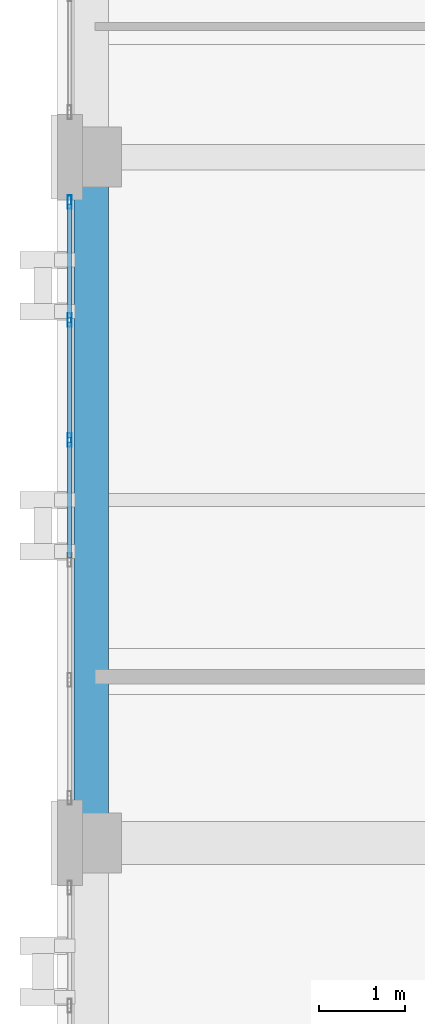
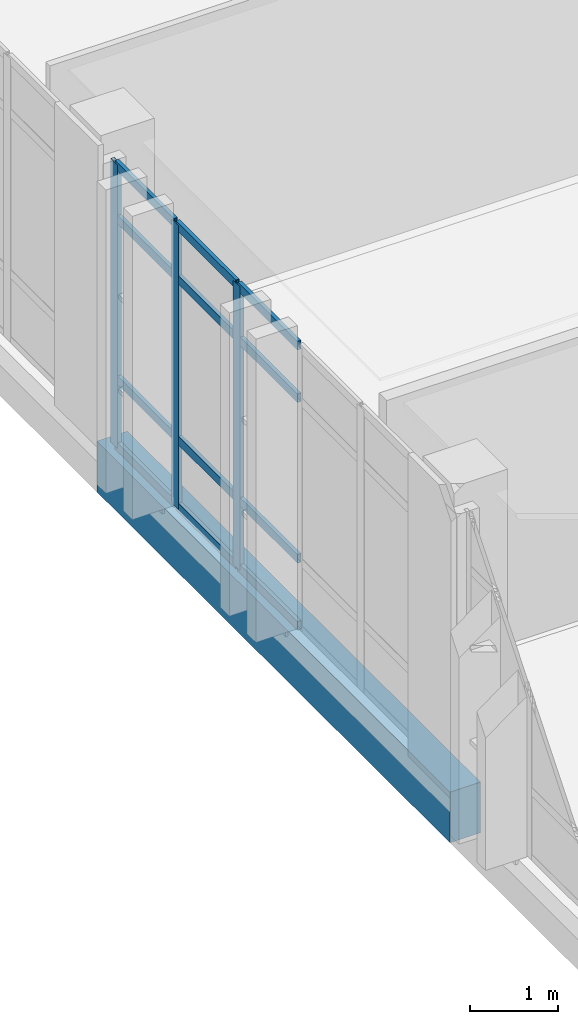
# One storey, part 31 of 165: 15 members, 1 beam, 1 element without a shape of its own.
"""IFC4 building model written with IfcOpenShell, lengths in metres."""

import ifcopenshell
import ifcopenshell.guid

model = None  # the IFC model being written
_history = None  # IfcOwnerHistory: only IFC2X3 demands one
_inside = {}  # id of a spatial element -> (the spatial element, [elements in it])
_under = {}  # id of a project, library or spatial element -> (it, [spatial elements below it])
_declared = {}  # id of a project -> (the project, [libraries it declares])
_typed = {}  # id of a type object -> (the type object, [elements of that type])
_made_of = {}  # id of a material, layer set ... -> (it, [elements and type objects made of it])


def new_model(schema):
    """Start an empty IFC model of exactly this schema.

    Asked for "IFC4X3", IfcOpenShell would pick the latest addendum, in which some entities
    have other attributes; the version numbers below select the first issue.
    IFC2X3 requires an IfcOwnerHistory on every rooted entity: one is made here for all.
    """
    global model, _history
    if schema == "IFC4X3":
        model = ifcopenshell.file(schema_version=(4, 3, 0, 0))
    else:
        model = ifcopenshell.file(schema=schema)
    _inside.clear()
    _under.clear()
    _declared.clear()
    _typed.clear()
    _made_of.clear()
    _history = None
    if model.schema == "IFC2X3":
        org = make("IfcOrganization", Name="unknown")
        user = make(
            "IfcPersonAndOrganization",
            ThePerson=make("IfcPerson", FamilyName="unknown"),
            TheOrganization=org,
        )
        app = make(
            "IfcApplication",
            ApplicationDeveloper=org,
            Version="unknown",
            ApplicationFullName="unknown",
            ApplicationIdentifier="unknown",
        )
        _history = make(
            "IfcOwnerHistory",
            OwningUser=user,
            OwningApplication=app,
            ChangeAction="ADDED",
            CreationDate=0,
        )
    return model


def make(cls, **values):
    """One entity of the class cls with the attributes given. An attribute that is None is left unset."""
    return model.create_entity(
        cls, **{name: value for name, value in values.items() if value is not None}
    )


def rooted(cls, **values):
    """An entity with a GlobalId (a new one), such as an element, a storey or a relation."""
    return make(cls, GlobalId=ifcopenshell.guid.new(), OwnerHistory=_history, **values)


def si_unit(unit_type, name, prefix=None):
    """IfcSIUnit, for example si_unit("LENGTHUNIT", "METRE", prefix="MILLI")."""
    return make("IfcSIUnit", UnitType=unit_type, Prefix=prefix, Name=name)


def assignment(units):
    """IfcUnitAssignment: the units of a project."""
    return None if units is None else make("IfcUnitAssignment", Units=units)


def point(xyz):
    """IfcCartesianPoint."""
    return None if xyz is None else make("IfcCartesianPoint", Coordinates=xyz)


def direction(xyz):
    """IfcDirection."""
    return None if xyz is None else make("IfcDirection", DirectionRatios=xyz)


def frame(location, z_axis=None, x_axis=None):
    """IfcAxis2Placement3D, a coordinate frame: its origin and axes. An axis left out is left unset."""
    return make(
        "IfcAxis2Placement3D",
        Location=point(location),
        Axis=direction(z_axis),
        RefDirection=direction(x_axis),
    )


def frame_2d(location, x_axis=None):
    """IfcAxis2Placement2D, a coordinate frame in the plane: its origin and x axis."""
    return make(
        "IfcAxis2Placement2D", Location=point(location), RefDirection=direction(x_axis)
    )


def origin():
    """The frame at (0, 0, 0) with its axes left unset."""
    return frame((0.0, 0.0, 0.0))


def origin_2d():
    """The frame at (0, 0) in the plane with its x axis left unset."""
    return frame_2d((0.0, 0.0))


def place(relative_to, where):
    """IfcLocalPlacement: puts the frame where relative to a parent placement (None: the world)."""
    return make(
        "IfcLocalPlacement", PlacementRelTo=relative_to, RelativePlacement=where
    )


def context(
    kind, dimensions, precision=None, world=None, true_north=None, identifier=None
):
    """IfcGeometricRepresentationContext, for example the 3D "Model" context."""
    return make(
        "IfcGeometricRepresentationContext",
        ContextIdentifier=identifier,
        ContextType=kind,
        CoordinateSpaceDimension=dimensions,
        Precision=precision,
        WorldCoordinateSystem=world,
        TrueNorth=true_north,
    )


def subcontext(parent, identifier, kind, view, scale=None):
    """IfcGeometricRepresentationSubContext, for example "Body" below "Model"."""
    return make(
        "IfcGeometricRepresentationSubContext",
        ContextIdentifier=identifier,
        ContextType=kind,
        ParentContext=parent,
        TargetScale=scale,
        TargetView=view,
    )


def project(units=None, contexts=None):
    """IfcProject with its units and contexts."""
    return rooted(
        "IfcProject",
        Name="project",
        RepresentationContexts=contexts,
        UnitsInContext=assignment(units),
    )


def spatial(cls, under=None, at=None, **own):
    """A site, building, storey or space (cls), placed at a placement, below another one or the project."""
    s = rooted(cls, ObjectPlacement=at, **own)
    if under is not None:
        _under.setdefault(under.id(), (under, []))[1].append(s)
    return s


def profile(cls, at=None, kind="AREA", **sizes):
    """A parametric profile (cls). Its sizes go by their IFC names, for example OverallWidth=200.0."""
    return make(cls, ProfileType=kind, Position=at, **sizes)


def rectangle(**sizes):
    """IfcRectangleProfileDef."""
    return profile("IfcRectangleProfileDef", **sizes)


def hollow_rectangle(**sizes):
    """IfcRectangleHollowProfileDef."""
    return profile("IfcRectangleHollowProfileDef", **sizes)


def extrude(swept, where, along, depth):
    """IfcExtrudedAreaSolid: the profile swept, set in the frame where, extruded along a direction by depth."""
    return make(
        "IfcExtrudedAreaSolid",
        SweptArea=swept,
        Position=where,
        ExtrudedDirection=direction(along),
        Depth=depth,
    )


def shape(context_of_items, identifier, shape_type, items):
    """IfcShapeRepresentation: the items that make up one representation, for example the "Body"."""
    return make(
        "IfcShapeRepresentation",
        ContextOfItems=context_of_items,
        RepresentationIdentifier=identifier,
        RepresentationType=shape_type,
        Items=items,
    )


def material(Name=None, Category=None):
    """IfcMaterial."""
    return make("IfcMaterial", Name=Name, Category=Category)


def layer(
    of_material, thickness, ventilated=None, Name=None, Category=None, Priority=None
):
    """IfcMaterialLayer: one layer of a wall or slab, of a material (None: an air gap)."""
    return make(
        "IfcMaterialLayer",
        Material=of_material,
        LayerThickness=thickness,
        IsVentilated=ventilated,
        Name=Name,
        Category=Category,
        Priority=Priority,
    )


def layer_set(layers, Name=None):
    """IfcMaterialLayerSet."""
    return make("IfcMaterialLayerSet", MaterialLayers=layers, LayerSetName=Name)


def material_profile(
    of_material, cross_section, Name=None, Category=None, Priority=None
):
    """IfcMaterialProfile: a cross section and its material."""
    return make(
        "IfcMaterialProfile",
        Name=Name,
        Material=of_material,
        Profile=cross_section,
        Priority=Priority,
        Category=Category,
    )


def profile_set(profiles, Name=None, composite=None):
    """IfcMaterialProfileSet."""
    return make(
        "IfcMaterialProfileSet",
        Name=Name,
        MaterialProfiles=profiles,
        CompositeProfile=composite,
    )


def made_of(thing, what):
    """Note that an element or type object is made of a material, layer set ...; save() writes the relation."""
    if what is not None:
        _made_of.setdefault(what.id(), (what, []))[1].append(thing)
    return thing


def type_object(cls, material=None, **own):
    """A type object (cls), such as IfcWallType, which elements share."""
    return made_of(rooted(cls, **own), material)


def element(
    cls,
    number,
    at=None,
    inside=None,
    cuts=None,
    type_object=None,
    material=None,
    context=None,
    identifier="Body",
    shape_type=None,
    held_by="IfcProductDefinitionShape",
    body=None,
    shapes=None,
    **own,
):
    """One element of the class cls, such as IfcWall. Its Tag is "e" and its number.

    at: its placement. inside: the storey or other place that contains it. cuts: it is an
    opening in that element (IfcRelVoidsElement). A single representation is given by context,
    identifier, shape_type and body (its items); several are given by shapes. held_by: the class
    of the entity that holds the representations. save() writes the other relations.
    """
    e = rooted(cls, Tag="e%d" % number, ObjectPlacement=at, **own)
    if body is not None:
        shapes = [shape(context, identifier, shape_type, body)]
    if shapes is not None:
        e.Representation = make(held_by, Representations=shapes)
    if inside is not None:
        _inside.setdefault(inside.id(), (inside, []))[1].append(e)
    if cuts is not None:
        rooted(
            "IfcRelVoidsElement", RelatingBuildingElement=cuts, RelatedOpeningElement=e
        )
    if type_object is not None:
        _typed.setdefault(type_object.id(), (type_object, []))[1].append(e)
    return made_of(e, material)


def aggregate(whole, parts):
    """IfcRelAggregates: a whole, such as a stair, and the parts it consists of."""
    return rooted("IfcRelAggregates", RelatingObject=whole, RelatedObjects=parts)


def save(model, path):
    """Write the relations noted so far, then the file.

    IfcRelAggregates (storeys below a building ...), IfcRelContainedInSpatialStructure (elements
    in a storey), IfcRelDefinesByType, IfcRelAssociatesMaterial and IfcRelDeclares: one each for
    every whole, place, type object, material and project.
    """
    for whole, parts in _under.values():
        aggregate(whole, parts)
    for where, things in _inside.values():
        rooted(
            "IfcRelContainedInSpatialStructure",
            RelatedElements=things,
            RelatingStructure=where,
        )
    for kind, things in _typed.values():
        rooted("IfcRelDefinesByType", RelatedObjects=things, RelatingType=kind)
    for what, things in _made_of.values():
        rooted("IfcRelAssociatesMaterial", RelatedObjects=things, RelatingMaterial=what)
    for by, libraries in _declared.values():
        rooted("IfcRelDeclares", RelatingContext=by, RelatedDefinitions=libraries)
    model.write(path)


model = new_model("IFC4")

# Units and contexts
model_context = context("Model", 3, precision=1e-05, world=origin(), true_north=direction((0.0, 1.0)))
body_context = subcontext(model_context, "Body", "Model", "MODEL_VIEW")
ifc_project = project(units=[si_unit("LENGTHUNIT", "METRE"), si_unit("AREAUNIT", "SQUARE_METRE"), si_unit("VOLUMEUNIT", "CUBIC_METRE"), si_unit("PLANEANGLEUNIT", "RADIAN"), si_unit("MASSUNIT", "GRAM", prefix="KILO")], contexts=[model_context])

# Site, building, storey
site_placement = place(None, origin())
site = spatial("IfcSite", under=ifc_project, at=site_placement, CompositionType="ELEMENT")
building_placement = place(site_placement, origin())
building = spatial("IfcBuilding", under=site, at=building_placement, Name="Qalavern Law Courts", CompositionType="ELEMENT")
storey_placement = place(building_placement, frame((0.0, 0.0, 14.39990234375)))
storey = spatial("IfcBuildingStorey", under=building, at=storey_placement, Name="L03", CompositionType="ELEMENT", Elevation=14.39990234375)

# Curtain wall, members
ifc_material_1 = material(Name="Anodised aluminium and insulated glazing", Category="aluminium")
ifc_layer = layer(ifc_material_1, 0.172119140625)
ifc_layer_set = layer_set([ifc_layer], Name="Anodised aluminium and insulated glazing")
curtain_wall_type = type_object("IfcCurtainWallType", Name="ENV-CW-COURT", PredefinedType="USERDEFINED", material=ifc_layer_set)
curtain_wall_placement = place(storey_placement, origin())
curtain_wall = element("IfcCurtainWall", 1, at=curtain_wall_placement, inside=storey, type_object=curtain_wall_type, Name="V3 unitised curtain wall L03 west 5", ObjectType="UNITISED CURTAIN WALL", PredefinedType="USERDEFINED")
ifc_material_2 = material(Name="Anodised aluminium", Category="aluminium")
ifc_material_profile_1 = material_profile(ifc_material_2, hollow_rectangle(XDim=0.048095703125, YDim=0.159912109375, WallThickness=0.00390625, at=origin_2d()), Name="ALU MULLION 48x160")
ifc_profile_set_1 = profile_set([ifc_material_profile_1], Name="Anodised aluminium")
member_type_1 = type_object("IfcMemberType", Name="ENV-CWM-48x160", PredefinedType="MULLION", material=ifc_profile_set_1)
member_1_placement = place(storey_placement, frame((2.1474609375, 64.8759765625, 0.0), z_axis=(0.0, 0.0, 1.0), x_axis=(1.0, 0.0, 0.0)))
member_1 = element("IfcMember", 2, at=member_1_placement, type_object=member_type_1, Name="CW-03 mullion 1", PredefinedType="MULLION", context=body_context, shape_type="SweptSolid", body=[
    extrude(hollow_rectangle(XDim=0.048095703125, YDim=0.159912109375, WallThickness=0.00390625, at=origin_2d()), origin(), (0.0, 0.0, 1.0), 3.920166015625),
])
member_2_placement = place(storey_placement, frame((2.1474609375, 63.5, 0.0), z_axis=(0.0, 0.0, 1.0), x_axis=(1.0, 0.0, 0.0)))
member_2 = element("IfcMember", 3, at=member_2_placement, type_object=member_type_1, Name="CW-03 mullion 2", PredefinedType="MULLION", context=body_context, shape_type="SweptSolid", body=[
    extrude(hollow_rectangle(XDim=0.048095703125, YDim=0.159912109375, WallThickness=0.00390625, at=origin_2d()), origin(), (0.0, 0.0, 1.0), 3.920166015625),
])
member_3_placement = place(storey_placement, frame((2.1474609375, 62.10009765625, 0.0), z_axis=(0.0, 0.0, 1.0), x_axis=(1.0, 0.0, 0.0)))
member_3 = element("IfcMember", 4, at=member_3_placement, type_object=member_type_1, Name="CW-03 mullion 3", PredefinedType="MULLION", context=body_context, shape_type="SweptSolid", body=[
    extrude(hollow_rectangle(XDim=0.048095703125, YDim=0.159912109375, WallThickness=0.00390625, at=origin_2d()), origin(), (0.0, 0.0, 1.0), 3.920166015625),
])
ifc_material_profile_2 = material_profile(ifc_material_2, hollow_rectangle(XDim=0.048095703125, YDim=0.1201171875, WallThickness=0.00390625, at=origin_2d()), Name="ALU TRANSOM 48x120")
ifc_profile_set_2 = profile_set([ifc_material_profile_2], Name="Anodised aluminium")
member_type_2 = type_object("IfcMemberType", Name="ENV-CWT-48x120", PredefinedType="USERDEFINED", material=ifc_profile_set_2)
member_4_placement = place(storey_placement, frame((2.1474609375, 64.85205078125, 0.024169921875), z_axis=(0.0, -1.0, 0.0), x_axis=(1.0, 0.0, 0.0)))
member_4 = element("IfcMember", 5, at=member_4_placement, type_object=member_type_2, Name="CW-03 transom 1.1", ObjectType="TRANSOM", PredefinedType="USERDEFINED", context=body_context, shape_type="SweptSolid", body=[
    extrude(hollow_rectangle(XDim=0.048095703125, YDim=0.1201171875, WallThickness=0.00390625, at=origin_2d()), origin(), (0.0, 0.0, 1.0), 1.328125),
])
member_5_placement = place(storey_placement, frame((2.1474609375, 64.85205078125, 0.9501953125), z_axis=(0.0, -1.0, 0.0), x_axis=(1.0, 0.0, 0.0)))
member_5 = element("IfcMember", 6, at=member_5_placement, type_object=member_type_2, Name="CW-03 transom 1.2", ObjectType="TRANSOM", PredefinedType="USERDEFINED", context=body_context, shape_type="SweptSolid", body=[
    extrude(hollow_rectangle(XDim=0.048095703125, YDim=0.1201171875, WallThickness=0.00390625, at=origin_2d()), origin(), (0.0, 0.0, 1.0), 1.328125),
])
member_6_placement = place(storey_placement, frame((2.1474609375, 64.85205078125, 3.170166015625), z_axis=(0.0, -1.0, 0.0), x_axis=(1.0, 0.0, 0.0)))
member_6 = element("IfcMember", 7, at=member_6_placement, type_object=member_type_2, Name="CW-03 transom 1.3", ObjectType="TRANSOM", PredefinedType="USERDEFINED", context=body_context, shape_type="SweptSolid", body=[
    extrude(hollow_rectangle(XDim=0.048095703125, YDim=0.1201171875, WallThickness=0.00390625, at=origin_2d()), origin(), (0.0, 0.0, 1.0), 1.328125),
])
member_7_placement = place(storey_placement, frame((2.1474609375, 64.85205078125, 3.89599609375), z_axis=(0.0, -1.0, 0.0), x_axis=(1.0, 0.0, 0.0)))
member_7 = element("IfcMember", 8, at=member_7_placement, type_object=member_type_2, Name="CW-03 transom 1.4", ObjectType="TRANSOM", PredefinedType="USERDEFINED", context=body_context, shape_type="SweptSolid", body=[
    extrude(hollow_rectangle(XDim=0.048095703125, YDim=0.1201171875, WallThickness=0.00390625, at=origin_2d()), origin(), (0.0, 0.0, 1.0), 1.328125),
])
member_8_placement = place(storey_placement, frame((2.1474609375, 63.47607421875, 0.024169921875), z_axis=(0.0, -1.0, 0.0), x_axis=(1.0, 0.0, 0.0)))
member_8 = element("IfcMember", 9, at=member_8_placement, type_object=member_type_2, Name="CW-03 transom 2.1", ObjectType="TRANSOM", PredefinedType="USERDEFINED", context=body_context, shape_type="SweptSolid", body=[
    extrude(hollow_rectangle(XDim=0.048095703125, YDim=0.1201171875, WallThickness=0.00390625, at=origin_2d()), origin(), (0.0, 0.0, 1.0), 1.35205078125),
])
member_9_placement = place(storey_placement, frame((2.1474609375, 63.47607421875, 0.9501953125), z_axis=(0.0, -1.0, 0.0), x_axis=(1.0, 0.0, 0.0)))
member_9 = element("IfcMember", 10, at=member_9_placement, type_object=member_type_2, Name="CW-03 transom 2.2", ObjectType="TRANSOM", PredefinedType="USERDEFINED", context=body_context, shape_type="SweptSolid", body=[
    extrude(hollow_rectangle(XDim=0.048095703125, YDim=0.1201171875, WallThickness=0.00390625, at=origin_2d()), origin(), (0.0, 0.0, 1.0), 1.35205078125),
])
member_10_placement = place(storey_placement, frame((2.1474609375, 63.47607421875, 3.170166015625), z_axis=(0.0, -1.0, 0.0), x_axis=(1.0, 0.0, 0.0)))
member_10 = element("IfcMember", 11, at=member_10_placement, type_object=member_type_2, Name="CW-03 transom 2.3", ObjectType="TRANSOM", PredefinedType="USERDEFINED", context=body_context, shape_type="SweptSolid", body=[
    extrude(hollow_rectangle(XDim=0.048095703125, YDim=0.1201171875, WallThickness=0.00390625, at=origin_2d()), origin(), (0.0, 0.0, 1.0), 1.35205078125),
])
member_11_placement = place(storey_placement, frame((2.1474609375, 63.47607421875, 3.89599609375), z_axis=(0.0, -1.0, 0.0), x_axis=(1.0, 0.0, 0.0)))
member_11 = element("IfcMember", 12, at=member_11_placement, type_object=member_type_2, Name="CW-03 transom 2.4", ObjectType="TRANSOM", PredefinedType="USERDEFINED", context=body_context, shape_type="SweptSolid", body=[
    extrude(hollow_rectangle(XDim=0.048095703125, YDim=0.1201171875, WallThickness=0.00390625, at=origin_2d()), origin(), (0.0, 0.0, 1.0), 1.35205078125),
])
member_12_placement = place(storey_placement, frame((2.1474609375, 62.075927734375, 0.024169921875), z_axis=(0.0, -1.0, 0.0), x_axis=(1.0, 0.0, 0.0)))
member_12 = element("IfcMember", 13, at=member_12_placement, type_object=member_type_2, Name="CW-03 transom 3.1", ObjectType="TRANSOM", PredefinedType="USERDEFINED", context=body_context, shape_type="SweptSolid", body=[
    extrude(hollow_rectangle(XDim=0.048095703125, YDim=0.1201171875, WallThickness=0.00390625, at=origin_2d()), origin(), (0.0, 0.0, 1.0), 1.351806640625),
])
member_13_placement = place(storey_placement, frame((2.1474609375, 62.075927734375, 0.9501953125), z_axis=(0.0, -1.0, 0.0), x_axis=(1.0, 0.0, 0.0)))
member_13 = element("IfcMember", 14, at=member_13_placement, type_object=member_type_2, Name="CW-03 transom 3.2", ObjectType="TRANSOM", PredefinedType="USERDEFINED", context=body_context, shape_type="SweptSolid", body=[
    extrude(hollow_rectangle(XDim=0.048095703125, YDim=0.1201171875, WallThickness=0.00390625, at=origin_2d()), origin(), (0.0, 0.0, 1.0), 1.351806640625),
])
member_14_placement = place(storey_placement, frame((2.1474609375, 62.075927734375, 3.170166015625), z_axis=(0.0, -1.0, 0.0), x_axis=(1.0, 0.0, 0.0)))
member_14 = element("IfcMember", 15, at=member_14_placement, type_object=member_type_2, Name="CW-03 transom 3.3", ObjectType="TRANSOM", PredefinedType="USERDEFINED", context=body_context, shape_type="SweptSolid", body=[
    extrude(hollow_rectangle(XDim=0.048095703125, YDim=0.1201171875, WallThickness=0.00390625, at=origin_2d()), origin(), (0.0, 0.0, 1.0), 1.351806640625),
])
member_15_placement = place(storey_placement, frame((2.1474609375, 62.075927734375, 3.89599609375), z_axis=(0.0, -1.0, 0.0), x_axis=(1.0, 0.0, 0.0)))
member_15 = element("IfcMember", 16, at=member_15_placement, type_object=member_type_2, Name="CW-03 transom 3.4", ObjectType="TRANSOM", PredefinedType="USERDEFINED", context=body_context, shape_type="SweptSolid", body=[
    extrude(hollow_rectangle(XDim=0.048095703125, YDim=0.1201171875, WallThickness=0.00390625, at=origin_2d()), origin(), (0.0, 0.0, 1.0), 1.351806640625),
])
aggregate(curtain_wall, [member_1, member_2, member_3, member_4, member_5, member_6, member_7, member_8, member_9, member_10, member_11, member_12, member_13, member_14, member_15])

# Beam
ifc_material_3 = material(Name="Concrete C40/50", Category="concrete")
ifc_material_profile_3 = material_profile(ifc_material_3, rectangle(XDim=0.39990234375, YDim=0.699951171875, at=origin_2d()), Name="RC 400x700")
ifc_profile_set_3 = profile_set([ifc_material_profile_3], Name="Concrete C40/50")
beam_type = type_object("IfcBeamType", Name="STR-SP-RC400x700", PredefinedType="SPANDREL", material=ifc_profile_set_3)
beam_placement = place(storey_placement, frame((2.39990234375, 57.39990234375, -0.635009765625), z_axis=(0.0, 1.0, 0.0), x_axis=(-1.0, 0.0, 0.0)))
element("IfcBeam", 17, at=beam_placement, inside=storey, type_object=beam_type, Name="V3 Y-beam 1-3 L03", PredefinedType="SPANDREL", context=body_context, shape_type="SweptSolid", body=[
    extrude(rectangle(XDim=0.39990234375, YDim=0.699951171875, at=origin_2d()), origin(), (0.0, 0.0, 1.0), 8.0),
])

save(model, "model.ifc")
